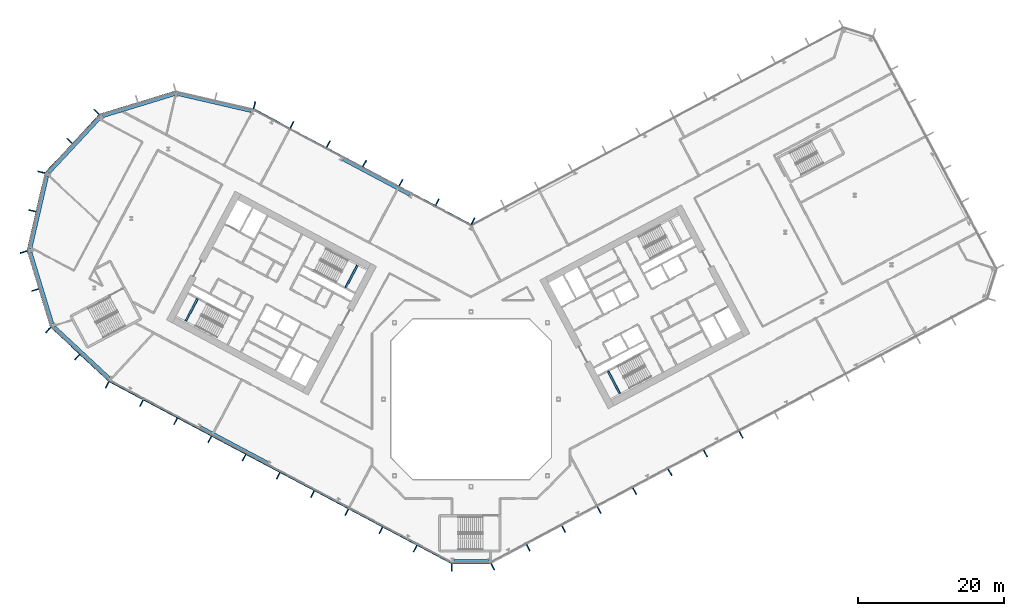
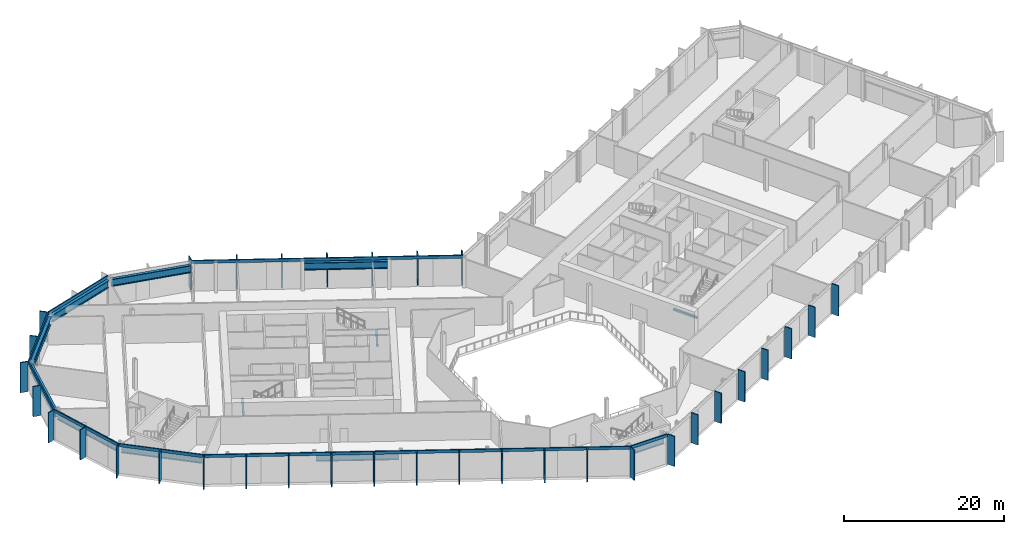
# One storey, part 7 of 32: 42 members, 12 beams, 10 elements without a shape of their own.
"""IFC4 building model written with IfcOpenShell, lengths in metres."""

import ifcopenshell
import ifcopenshell.guid

model = None  # the IFC model being written
_history = None  # IfcOwnerHistory: only IFC2X3 demands one
_inside = {}  # id of a spatial element -> (the spatial element, [elements in it])
_under = {}  # id of a project, library or spatial element -> (it, [spatial elements below it])
_declared = {}  # id of a project -> (the project, [libraries it declares])
_typed = {}  # id of a type object -> (the type object, [elements of that type])
_made_of = {}  # id of a material, layer set ... -> (it, [elements and type objects made of it])


def new_model(schema):
    """Start an empty IFC model of exactly this schema.

    Asked for "IFC4X3", IfcOpenShell would pick the latest addendum, in which some entities
    have other attributes; the version numbers below select the first issue.
    IFC2X3 requires an IfcOwnerHistory on every rooted entity: one is made here for all.
    """
    global model, _history
    if schema == "IFC4X3":
        model = ifcopenshell.file(schema_version=(4, 3, 0, 0))
    else:
        model = ifcopenshell.file(schema=schema)
    _inside.clear()
    _under.clear()
    _declared.clear()
    _typed.clear()
    _made_of.clear()
    _history = None
    if model.schema == "IFC2X3":
        org = make("IfcOrganization", Name="unknown")
        user = make(
            "IfcPersonAndOrganization",
            ThePerson=make("IfcPerson", FamilyName="unknown"),
            TheOrganization=org,
        )
        app = make(
            "IfcApplication",
            ApplicationDeveloper=org,
            Version="unknown",
            ApplicationFullName="unknown",
            ApplicationIdentifier="unknown",
        )
        _history = make(
            "IfcOwnerHistory",
            OwningUser=user,
            OwningApplication=app,
            ChangeAction="ADDED",
            CreationDate=0,
        )
    return model


def make(cls, **values):
    """One entity of the class cls with the attributes given. An attribute that is None is left unset."""
    return model.create_entity(
        cls, **{name: value for name, value in values.items() if value is not None}
    )


def rooted(cls, **values):
    """An entity with a GlobalId (a new one), such as an element, a storey or a relation."""
    return make(cls, GlobalId=ifcopenshell.guid.new(), OwnerHistory=_history, **values)


def si_unit(unit_type, name, prefix=None):
    """IfcSIUnit, for example si_unit("LENGTHUNIT", "METRE", prefix="MILLI")."""
    return make("IfcSIUnit", UnitType=unit_type, Prefix=prefix, Name=name)


def assignment(units):
    """IfcUnitAssignment: the units of a project."""
    return None if units is None else make("IfcUnitAssignment", Units=units)


def point(xyz):
    """IfcCartesianPoint."""
    return None if xyz is None else make("IfcCartesianPoint", Coordinates=xyz)


def direction(xyz):
    """IfcDirection."""
    return None if xyz is None else make("IfcDirection", DirectionRatios=xyz)


def frame(location, z_axis=None, x_axis=None):
    """IfcAxis2Placement3D, a coordinate frame: its origin and axes. An axis left out is left unset."""
    return make(
        "IfcAxis2Placement3D",
        Location=point(location),
        Axis=direction(z_axis),
        RefDirection=direction(x_axis),
    )


def frame_2d(location, x_axis=None):
    """IfcAxis2Placement2D, a coordinate frame in the plane: its origin and x axis."""
    return make(
        "IfcAxis2Placement2D", Location=point(location), RefDirection=direction(x_axis)
    )


def origin():
    """The frame at (0, 0, 0) with its axes left unset."""
    return frame((0.0, 0.0, 0.0))


def origin_2d():
    """The frame at (0, 0) in the plane with its x axis left unset."""
    return frame_2d((0.0, 0.0))


def place(relative_to, where):
    """IfcLocalPlacement: puts the frame where relative to a parent placement (None: the world)."""
    return make(
        "IfcLocalPlacement", PlacementRelTo=relative_to, RelativePlacement=where
    )


def context(
    kind, dimensions, precision=None, world=None, true_north=None, identifier=None
):
    """IfcGeometricRepresentationContext, for example the 3D "Model" context."""
    return make(
        "IfcGeometricRepresentationContext",
        ContextIdentifier=identifier,
        ContextType=kind,
        CoordinateSpaceDimension=dimensions,
        Precision=precision,
        WorldCoordinateSystem=world,
        TrueNorth=true_north,
    )


def subcontext(parent, identifier, kind, view, scale=None):
    """IfcGeometricRepresentationSubContext, for example "Body" below "Model"."""
    return make(
        "IfcGeometricRepresentationSubContext",
        ContextIdentifier=identifier,
        ContextType=kind,
        ParentContext=parent,
        TargetScale=scale,
        TargetView=view,
    )


def project(units=None, contexts=None):
    """IfcProject with its units and contexts."""
    return rooted(
        "IfcProject",
        Name="project",
        RepresentationContexts=contexts,
        UnitsInContext=assignment(units),
    )


def spatial(cls, under=None, at=None, **own):
    """A site, building, storey or space (cls), placed at a placement, below another one or the project."""
    s = rooted(cls, ObjectPlacement=at, **own)
    if under is not None:
        _under.setdefault(under.id(), (under, []))[1].append(s)
    return s


def profile(cls, at=None, kind="AREA", **sizes):
    """A parametric profile (cls). Its sizes go by their IFC names, for example OverallWidth=200.0."""
    return make(cls, ProfileType=kind, Position=at, **sizes)


def rectangle(**sizes):
    """IfcRectangleProfileDef."""
    return profile("IfcRectangleProfileDef", **sizes)


def i_section(**sizes):
    """IfcIShapeProfileDef."""
    return profile("IfcIShapeProfileDef", **sizes)


def extrude(swept, where, along, depth):
    """IfcExtrudedAreaSolid: the profile swept, set in the frame where, extruded along a direction by depth."""
    return make(
        "IfcExtrudedAreaSolid",
        SweptArea=swept,
        Position=where,
        ExtrudedDirection=direction(along),
        Depth=depth,
    )


def shape(context_of_items, identifier, shape_type, items):
    """IfcShapeRepresentation: the items that make up one representation, for example the "Body"."""
    return make(
        "IfcShapeRepresentation",
        ContextOfItems=context_of_items,
        RepresentationIdentifier=identifier,
        RepresentationType=shape_type,
        Items=items,
    )


def material(Name=None, Category=None):
    """IfcMaterial."""
    return make("IfcMaterial", Name=Name, Category=Category)


def layer(
    of_material, thickness, ventilated=None, Name=None, Category=None, Priority=None
):
    """IfcMaterialLayer: one layer of a wall or slab, of a material (None: an air gap)."""
    return make(
        "IfcMaterialLayer",
        Material=of_material,
        LayerThickness=thickness,
        IsVentilated=ventilated,
        Name=Name,
        Category=Category,
        Priority=Priority,
    )


def layer_set(layers, Name=None):
    """IfcMaterialLayerSet."""
    return make("IfcMaterialLayerSet", MaterialLayers=layers, LayerSetName=Name)


def material_profile(
    of_material, cross_section, Name=None, Category=None, Priority=None
):
    """IfcMaterialProfile: a cross section and its material."""
    return make(
        "IfcMaterialProfile",
        Name=Name,
        Material=of_material,
        Profile=cross_section,
        Priority=Priority,
        Category=Category,
    )


def profile_set(profiles, Name=None, composite=None):
    """IfcMaterialProfileSet."""
    return make(
        "IfcMaterialProfileSet",
        Name=Name,
        MaterialProfiles=profiles,
        CompositeProfile=composite,
    )


def made_of(thing, what):
    """Note that an element or type object is made of a material, layer set ...; save() writes the relation."""
    if what is not None:
        _made_of.setdefault(what.id(), (what, []))[1].append(thing)
    return thing


def type_object(cls, material=None, **own):
    """A type object (cls), such as IfcWallType, which elements share."""
    return made_of(rooted(cls, **own), material)


def element(
    cls,
    number,
    at=None,
    inside=None,
    cuts=None,
    type_object=None,
    material=None,
    context=None,
    identifier="Body",
    shape_type=None,
    held_by="IfcProductDefinitionShape",
    body=None,
    shapes=None,
    **own,
):
    """One element of the class cls, such as IfcWall. Its Tag is "e" and its number.

    at: its placement. inside: the storey or other place that contains it. cuts: it is an
    opening in that element (IfcRelVoidsElement). A single representation is given by context,
    identifier, shape_type and body (its items); several are given by shapes. held_by: the class
    of the entity that holds the representations. save() writes the other relations.
    """
    e = rooted(cls, Tag="e%d" % number, ObjectPlacement=at, **own)
    if body is not None:
        shapes = [shape(context, identifier, shape_type, body)]
    if shapes is not None:
        e.Representation = make(held_by, Representations=shapes)
    if inside is not None:
        _inside.setdefault(inside.id(), (inside, []))[1].append(e)
    if cuts is not None:
        rooted(
            "IfcRelVoidsElement", RelatingBuildingElement=cuts, RelatedOpeningElement=e
        )
    if type_object is not None:
        _typed.setdefault(type_object.id(), (type_object, []))[1].append(e)
    return made_of(e, material)


def aggregate(whole, parts):
    """IfcRelAggregates: a whole, such as a stair, and the parts it consists of."""
    return rooted("IfcRelAggregates", RelatingObject=whole, RelatedObjects=parts)


def save(model, path):
    """Write the relations noted so far, then the file.

    IfcRelAggregates (storeys below a building ...), IfcRelContainedInSpatialStructure (elements
    in a storey), IfcRelDefinesByType, IfcRelAssociatesMaterial and IfcRelDeclares: one each for
    every whole, place, type object, material and project.
    """
    for whole, parts in _under.values():
        aggregate(whole, parts)
    for where, things in _inside.values():
        rooted(
            "IfcRelContainedInSpatialStructure",
            RelatedElements=things,
            RelatingStructure=where,
        )
    for kind, things in _typed.values():
        rooted("IfcRelDefinesByType", RelatedObjects=things, RelatingType=kind)
    for what, things in _made_of.values():
        rooted("IfcRelAssociatesMaterial", RelatedObjects=things, RelatingMaterial=what)
    for by, libraries in _declared.values():
        rooted("IfcRelDeclares", RelatingContext=by, RelatedDefinitions=libraries)
    model.write(path)


model = new_model("IFC4")

# Units and contexts
model_context = context("Model", 3, precision=1e-05, world=origin(), true_north=direction((0.0, 1.0)))
body_context = subcontext(model_context, "Body", "Model", "MODEL_VIEW")
ifc_project = project(units=[si_unit("LENGTHUNIT", "METRE"), si_unit("AREAUNIT", "SQUARE_METRE"), si_unit("VOLUMEUNIT", "CUBIC_METRE"), si_unit("PLANEANGLEUNIT", "RADIAN"), si_unit("MASSUNIT", "GRAM", prefix="KILO")], contexts=[model_context])

# Site, building, storey
site_placement = place(None, origin())
site = spatial("IfcSite", under=ifc_project, at=site_placement, CompositionType="ELEMENT")
building_placement = place(site_placement, origin())
building = spatial("IfcBuilding", under=site, at=building_placement, Name="Cormorant Relay Tower", CompositionType="ELEMENT")
storey_placement = place(building_placement, frame((0.0, 0.0, 66.199951171875)))
storey = spatial("IfcBuildingStorey", under=building, at=storey_placement, Name="L12", CompositionType="ELEMENT", Elevation=66.199951171875)

# Curtain wall, member
ifc_material_1 = material(Name="Aluminium 6063-T6 anodised bronze", Category="aluminium")
ifc_layer = layer(ifc_material_1, 0.199951171875)
ifc_layer_set = layer_set([ifc_layer], Name="CW1 unitised bronze curtain wall with vertical fins")
curtain_wall_type = type_object("IfcCurtainWallType", Name="CW1 unitised bronze curtain wall with vertical fins", PredefinedType="NOTDEFINED", material=ifc_layer_set)
curtain_wall_1_placement = place(storey_placement, origin())
curtain_wall_1 = element("IfcCurtainWall", 1, at=curtain_wall_1_placement, inside=storey, type_object=curtain_wall_type, Name="CW1 curtain wall 1", PredefinedType="NOTDEFINED")
ifc_material_2 = material(Name="Aluminium 6063-T6 anodised bronze", Category="aluminium")
ifc_material_profile_1 = material_profile(ifc_material_2, rectangle(XDim=0.14990234375, YDim=1.0, at=origin_2d()), Name="AL 150x1000")
ifc_profile_set_1 = profile_set([ifc_material_profile_1], Name="Aluminium 6063-T6 anodised bronze")
member_type_1 = type_object("IfcMemberType", Name="CW1 bronze fin mullion 150 x 1000", PredefinedType="MULLION", material=ifc_profile_set_1)
member_1_placement = place(storey_placement, frame((-2.648681640625, -23.07568359375, 0.0), z_axis=(0.0, 0.0, 1.0), x_axis=(1.0, 0.0, 0.0)))
member_1 = element("IfcMember", 2, at=member_1_placement, type_object=member_type_1, Name="CW1 fin 1.1", PredefinedType="MULLION", context=body_context, shape_type="SweptSolid", body=[
    extrude(rectangle(XDim=0.14990234375, YDim=1.0, at=origin_2d()), origin(), (0.0, 0.0, 1.0), 4.60009765625),
])

# Curtain wall, members
curtain_wall_2_placement = place(storey_placement, origin())
curtain_wall_2 = element("IfcCurtainWall", 3, at=curtain_wall_2_placement, inside=storey, type_object=curtain_wall_type, Name="CW1 curtain wall 2", PredefinedType="NOTDEFINED")
member_2_placement = place(storey_placement, frame((2.9775390625, -22.99365234375, 0.0), z_axis=(0.0, 0.0, 1.0), x_axis=(0.882947592859, 0.469471562786, 0.0)))
member_2 = element("IfcMember", 4, at=member_2_placement, type_object=member_type_1, Name="CW1 fin 2.1", PredefinedType="MULLION", context=body_context, shape_type="SweptSolid", body=[
    extrude(rectangle(XDim=0.14990234375, YDim=1.0, at=origin_2d()), origin(), (0.0, 0.0, 1.0), 4.60009765625),
])
member_3_placement = place(storey_placement, frame((7.843994140625, -20.406005859375, 0.0), z_axis=(0.0, 0.0, 1.0), x_axis=(0.882947592859, 0.469471562786, 0.0)))
member_3 = element("IfcMember", 5, at=member_3_placement, type_object=member_type_1, Name="CW1 fin 2.2", PredefinedType="MULLION", context=body_context, shape_type="SweptSolid", body=[
    extrude(rectangle(XDim=0.14990234375, YDim=1.0, at=origin_2d()), origin(), (0.0, 0.0, 1.0), 4.60009765625),
])
member_4_placement = place(storey_placement, frame((12.710693359375, -17.818359375, 0.0), z_axis=(0.0, 0.0, 1.0), x_axis=(0.882947592859, 0.469471562786, 0.0)))
member_4 = element("IfcMember", 6, at=member_4_placement, type_object=member_type_1, Name="CW1 fin 2.3", PredefinedType="MULLION", context=body_context, shape_type="SweptSolid", body=[
    extrude(rectangle(XDim=0.14990234375, YDim=1.0, at=origin_2d()), origin(), (0.0, 0.0, 1.0), 4.60009765625),
])
member_5_placement = place(storey_placement, frame((17.577392578125, -15.230712890625, 0.0), z_axis=(0.0, 0.0, 1.0), x_axis=(0.882947592859, 0.469471562786, 0.0)))
member_5 = element("IfcMember", 7, at=member_5_placement, type_object=member_type_1, Name="CW1 fin 2.4", PredefinedType="MULLION", context=body_context, shape_type="SweptSolid", body=[
    extrude(rectangle(XDim=0.14990234375, YDim=1.0, at=origin_2d()), origin(), (0.0, 0.0, 1.0), 4.60009765625),
])
member_6_placement = place(storey_placement, frame((22.444091796875, -12.64306640625, 0.0), z_axis=(0.0, 0.0, 1.0), x_axis=(0.882947592859, 0.469471562786, 0.0)))
member_6 = element("IfcMember", 8, at=member_6_placement, type_object=member_type_1, Name="CW1 fin 2.5", PredefinedType="MULLION", context=body_context, shape_type="SweptSolid", body=[
    extrude(rectangle(XDim=0.14990234375, YDim=1.0, at=origin_2d()), origin(), (0.0, 0.0, 1.0), 4.60009765625),
])
member_7_placement = place(storey_placement, frame((27.310791015625, -10.055419921875, 0.0), z_axis=(0.0, 0.0, 1.0), x_axis=(0.882947592859, 0.469471562786, 0.0)))
member_7 = element("IfcMember", 9, at=member_7_placement, type_object=member_type_1, Name="CW1 fin 2.6", PredefinedType="MULLION", context=body_context, shape_type="SweptSolid", body=[
    extrude(rectangle(XDim=0.14990234375, YDim=1.0, at=origin_2d()), origin(), (0.0, 0.0, 1.0), 4.60009765625),
])
member_8_placement = place(storey_placement, frame((32.177490234375, -7.4677734375, 0.0), z_axis=(0.0, 0.0, 1.0), x_axis=(0.882947592859, 0.469471562786, 0.0)))
member_8 = element("IfcMember", 10, at=member_8_placement, type_object=member_type_1, Name="CW1 fin 2.7", PredefinedType="MULLION", context=body_context, shape_type="SweptSolid", body=[
    extrude(rectangle(XDim=0.14990234375, YDim=1.0, at=origin_2d()), origin(), (0.0, 0.0, 1.0), 4.60009765625),
])
member_9_placement = place(storey_placement, frame((37.044189453125, -4.8798828125, 0.0), z_axis=(0.0, 0.0, 1.0), x_axis=(0.882947592859, 0.469471562786, 0.0)))
member_9 = element("IfcMember", 11, at=member_9_placement, type_object=member_type_1, Name="CW1 fin 2.8", PredefinedType="MULLION", context=body_context, shape_type="SweptSolid", body=[
    extrude(rectangle(XDim=0.14990234375, YDim=1.0, at=origin_2d()), origin(), (0.0, 0.0, 1.0), 4.60009765625),
])
aggregate(curtain_wall_2, [member_2, member_3, member_4, member_5, member_6, member_7, member_8, member_9])

curtain_wall_3_placement = place(storey_placement, origin())
curtain_wall_3 = element("IfcCurtainWall", 12, at=curtain_wall_3_placement, inside=storey, type_object=curtain_wall_type, Name="CW1 curtain wall 7", PredefinedType="NOTDEFINED")
member_10_placement = place(storey_placement, frame((0.262451171875, 24.437255859375, 0.0), z_axis=(0.0, 0.0, 1.0), x_axis=(-0.882947592859, 0.469471562786, 0.0)))
member_10 = element("IfcMember", 13, at=member_10_placement, type_object=member_type_1, Name="CW1 fin 7.1", PredefinedType="MULLION", context=body_context, shape_type="SweptSolid", body=[
    extrude(rectangle(XDim=0.14990234375, YDim=1.0, at=origin_2d()), origin(), (0.0, 0.0, 1.0), 4.60009765625),
])
member_11_placement = place(storey_placement, frame((-4.650390625, 27.04931640625, 0.0), z_axis=(0.0, 0.0, 1.0), x_axis=(-0.882947592859, 0.469471562786, 0.0)))
member_11 = element("IfcMember", 14, at=member_11_placement, type_object=member_type_1, Name="CW1 fin 7.2", PredefinedType="MULLION", context=body_context, shape_type="SweptSolid", body=[
    extrude(rectangle(XDim=0.14990234375, YDim=1.0, at=origin_2d()), origin(), (0.0, 0.0, 1.0), 4.60009765625),
])
member_12_placement = place(storey_placement, frame((-9.62939453125, 29.69677734375, 0.0), z_axis=(0.0, 0.0, 1.0), x_axis=(-0.882947592859, 0.469471562786, 0.0)))
member_12 = element("IfcMember", 15, at=member_12_placement, type_object=member_type_1, Name="CW1 fin 7.3", PredefinedType="MULLION", context=body_context, shape_type="SweptSolid", body=[
    extrude(rectangle(XDim=0.14990234375, YDim=1.0, at=origin_2d()), origin(), (0.0, 0.0, 1.0), 4.60009765625),
])
member_13_placement = place(storey_placement, frame((-14.608154296875, 32.343994140625, 0.0), z_axis=(0.0, 0.0, 1.0), x_axis=(-0.882947592859, 0.469471562786, 0.0)))
member_13 = element("IfcMember", 16, at=member_13_placement, type_object=member_type_1, Name="CW1 fin 7.4", PredefinedType="MULLION", context=body_context, shape_type="SweptSolid", body=[
    extrude(rectangle(XDim=0.14990234375, YDim=1.0, at=origin_2d()), origin(), (0.0, 0.0, 1.0), 4.60009765625),
])
member_14_placement = place(storey_placement, frame((-19.587158203125, 34.991455078125, 0.0), z_axis=(0.0, 0.0, 1.0), x_axis=(-0.882947592859, 0.469471562786, 0.0)))
member_14 = element("IfcMember", 17, at=member_14_placement, type_object=member_type_1, Name="CW1 fin 7.5", PredefinedType="MULLION", context=body_context, shape_type="SweptSolid", body=[
    extrude(rectangle(XDim=0.14990234375, YDim=1.0, at=origin_2d()), origin(), (0.0, 0.0, 1.0), 4.60009765625),
])
member_15_placement = place(storey_placement, frame((-24.566162109375, 37.638916015625, 0.0), z_axis=(0.0, 0.0, 1.0), x_axis=(-0.882947592859, 0.469471562786, 0.0)))
member_15 = element("IfcMember", 18, at=member_15_placement, type_object=member_type_1, Name="CW1 fin 7.6", PredefinedType="MULLION", context=body_context, shape_type="SweptSolid", body=[
    extrude(rectangle(XDim=0.14990234375, YDim=1.0, at=origin_2d()), origin(), (0.0, 0.0, 1.0), 4.60009765625),
])

# Curtain wall, member
curtain_wall_4_placement = place(storey_placement, origin())
curtain_wall_4 = element("IfcCurtainWall", 19, at=curtain_wall_4_placement, inside=storey, type_object=curtain_wall_type, Name="CW1 curtain wall 8", PredefinedType="NOTDEFINED")
member_16_placement = place(storey_placement, frame((-29.71630859375, 40.35009765625, 0.0), z_axis=(0.0, 0.0, 1.0), x_axis=(-0.974370064785, 0.224951054344, 0.0)))
member_16 = element("IfcMember", 20, at=member_16_placement, type_object=member_type_1, Name="CW1 fin 8.1", PredefinedType="MULLION", context=body_context, shape_type="SweptSolid", body=[
    extrude(rectangle(XDim=0.14990234375, YDim=1.0, at=origin_2d()), origin(), (0.0, 0.0, 1.0), 4.60009765625),
])
aggregate(curtain_wall_4, [member_16])

# Curtain wall, members
curtain_wall_5_placement = place(storey_placement, origin())
curtain_wall_5 = element("IfcCurtainWall", 21, at=curtain_wall_5_placement, inside=storey, type_object=curtain_wall_type, Name="CW1 curtain wall 10", PredefinedType="NOTDEFINED")
member_17_placement = place(storey_placement, frame((-51.372802734375, 39.41259765625, 0.0), z_axis=(0.0, 0.0, 1.0), x_axis=(-0.681998360062, -0.731353701619, 0.0)))
member_17 = element("IfcMember", 22, at=member_17_placement, type_object=member_type_1, Name="CW1 fin 10.1", PredefinedType="MULLION", context=body_context, shape_type="SweptSolid", body=[
    extrude(rectangle(XDim=0.14990234375, YDim=1.0, at=origin_2d()), origin(), (0.0, 0.0, 1.0), 4.60009765625),
])
member_18_placement = place(storey_placement, frame((-55.07958984375, 35.4375, 0.0), z_axis=(0.0, 0.0, 1.0), x_axis=(-0.681998360062, -0.731353701619, 0.0)))
member_18 = element("IfcMember", 23, at=member_18_placement, type_object=member_type_1, Name="CW1 fin 10.2", PredefinedType="MULLION", context=body_context, shape_type="SweptSolid", body=[
    extrude(rectangle(XDim=0.14990234375, YDim=1.0, at=origin_2d()), origin(), (0.0, 0.0, 1.0), 4.60009765625),
])

curtain_wall_6_placement = place(storey_placement, origin())
curtain_wall_6 = element("IfcCurtainWall", 24, at=curtain_wall_6_placement, inside=storey, type_object=curtain_wall_type, Name="CW1 curtain wall 11", PredefinedType="NOTDEFINED")
member_19_placement = place(storey_placement, frame((-58.95654296875, 31.142578125, 0.0), z_axis=(0.0, 0.0, 1.0), x_axis=(-0.224951054344, -0.974370064785, 0.0)))
member_19 = element("IfcMember", 25, at=member_19_placement, type_object=member_type_1, Name="CW1 fin 11.1", PredefinedType="MULLION", context=body_context, shape_type="SweptSolid", body=[
    extrude(rectangle(XDim=0.14990234375, YDim=1.0, at=origin_2d()), origin(), (0.0, 0.0, 1.0), 4.60009765625),
])
member_20_placement = place(storey_placement, frame((-60.17919921875, 25.8466796875, 0.0), z_axis=(0.0, 0.0, 1.0), x_axis=(-0.224951054344, -0.974370064785, 0.0)))
member_20 = element("IfcMember", 26, at=member_20_placement, type_object=member_type_1, Name="CW1 fin 11.2", PredefinedType="MULLION", context=body_context, shape_type="SweptSolid", body=[
    extrude(rectangle(XDim=0.14990234375, YDim=1.0, at=origin_2d()), origin(), (0.0, 0.0, 1.0), 4.60009765625),
])

curtain_wall_7_placement = place(storey_placement, origin())
curtain_wall_7 = element("IfcCurtainWall", 27, at=curtain_wall_7_placement, inside=storey, type_object=curtain_wall_type, Name="CW1 curtain wall 12", PredefinedType="NOTDEFINED")
member_21_placement = place(storey_placement, frame((-61.389404296875, 20.188720703125, 0.0), z_axis=(0.0, 0.0, 1.0), x_axis=(0.292371704723, -0.956304755963, 0.0)))
member_21 = element("IfcMember", 28, at=member_21_placement, type_object=member_type_1, Name="CW1 fin 12.1", PredefinedType="MULLION", context=body_context, shape_type="SweptSolid", body=[
    extrude(rectangle(XDim=0.14990234375, YDim=1.0, at=origin_2d()), origin(), (0.0, 0.0, 1.0), 4.60009765625),
])
member_22_placement = place(storey_placement, frame((-59.80029296875, 14.990966796875, 0.0), z_axis=(0.0, 0.0, 1.0), x_axis=(0.292371704723, -0.956304755963, 0.0)))
member_22 = element("IfcMember", 29, at=member_22_placement, type_object=member_type_1, Name="CW1 fin 12.2", PredefinedType="MULLION", context=body_context, shape_type="SweptSolid", body=[
    extrude(rectangle(XDim=0.14990234375, YDim=1.0, at=origin_2d()), origin(), (0.0, 0.0, 1.0), 4.60009765625),
])

curtain_wall_8_placement = place(storey_placement, origin())
curtain_wall_8 = element("IfcCurtainWall", 30, at=curtain_wall_8_placement, inside=storey, type_object=curtain_wall_type, Name="CW1 curtain wall 13", PredefinedType="NOTDEFINED")
member_23_placement = place(storey_placement, frame((-58.01904296875, 9.486083984375, 0.0), z_axis=(0.0, 0.0, 1.0), x_axis=(0.731353701619, -0.681998360062, 0.0)))
member_23 = element("IfcMember", 31, at=member_23_placement, type_object=member_type_1, Name="CW1 fin 13.1", PredefinedType="MULLION", context=body_context, shape_type="SweptSolid", body=[
    extrude(rectangle(XDim=0.14990234375, YDim=1.0, at=origin_2d()), origin(), (0.0, 0.0, 1.0), 4.60009765625),
])
member_24_placement = place(storey_placement, frame((-54.0439453125, 5.779296875, 0.0), z_axis=(0.0, 0.0, 1.0), x_axis=(0.731353701619, -0.681998360062, 0.0)))
member_24 = element("IfcMember", 32, at=member_24_placement, type_object=member_type_1, Name="CW1 fin 13.2", PredefinedType="MULLION", context=body_context, shape_type="SweptSolid", body=[
    extrude(rectangle(XDim=0.14990234375, YDim=1.0, at=origin_2d()), origin(), (0.0, 0.0, 1.0), 4.60009765625),
])

curtain_wall_9_placement = place(storey_placement, origin())
curtain_wall_9 = element("IfcCurtainWall", 33, at=curtain_wall_9_placement, inside=storey, type_object=curtain_wall_type, Name="CW1 curtain wall 14", PredefinedType="NOTDEFINED")
member_25_placement = place(storey_placement, frame((-49.920166015625, 1.96630859375, 0.0), z_axis=(0.0, 0.0, 1.0), x_axis=(0.882947592859, -0.469471562786, 0.0)))
member_25 = element("IfcMember", 34, at=member_25_placement, type_object=member_type_1, Name="CW1 fin 14.1", PredefinedType="MULLION", context=body_context, shape_type="SweptSolid", body=[
    extrude(rectangle(XDim=0.14990234375, YDim=1.0, at=origin_2d()), origin(), (0.0, 0.0, 1.0), 4.60009765625),
])
member_26_placement = place(storey_placement, frame((-45.225830078125, -0.52978515625, 0.0), z_axis=(0.0, 0.0, 1.0), x_axis=(0.882947592859, -0.469471562786, 0.0)))
member_26 = element("IfcMember", 35, at=member_26_placement, type_object=member_type_1, Name="CW1 fin 14.2", PredefinedType="MULLION", context=body_context, shape_type="SweptSolid", body=[
    extrude(rectangle(XDim=0.14990234375, YDim=1.0, at=origin_2d()), origin(), (0.0, 0.0, 1.0), 4.60009765625),
])
member_27_placement = place(storey_placement, frame((-40.531494140625, -3.025634765625, 0.0), z_axis=(0.0, 0.0, 1.0), x_axis=(0.882947592859, -0.469471562786, 0.0)))
member_27 = element("IfcMember", 36, at=member_27_placement, type_object=member_type_1, Name="CW1 fin 14.3", PredefinedType="MULLION", context=body_context, shape_type="SweptSolid", body=[
    extrude(rectangle(XDim=0.14990234375, YDim=1.0, at=origin_2d()), origin(), (0.0, 0.0, 1.0), 4.60009765625),
])
member_28_placement = place(storey_placement, frame((-35.83740234375, -5.521728515625, 0.0), z_axis=(0.0, 0.0, 1.0), x_axis=(0.882947592859, -0.469471562786, 0.0)))
member_28 = element("IfcMember", 37, at=member_28_placement, type_object=member_type_1, Name="CW1 fin 14.4", PredefinedType="MULLION", context=body_context, shape_type="SweptSolid", body=[
    extrude(rectangle(XDim=0.14990234375, YDim=1.0, at=origin_2d()), origin(), (0.0, 0.0, 1.0), 4.60009765625),
])
member_29_placement = place(storey_placement, frame((-31.14306640625, -8.017578125, 0.0), z_axis=(0.0, 0.0, 1.0), x_axis=(0.882947592859, -0.469471562786, 0.0)))
member_29 = element("IfcMember", 38, at=member_29_placement, type_object=member_type_1, Name="CW1 fin 14.5", PredefinedType="MULLION", context=body_context, shape_type="SweptSolid", body=[
    extrude(rectangle(XDim=0.14990234375, YDim=1.0, at=origin_2d()), origin(), (0.0, 0.0, 1.0), 4.60009765625),
])
member_30_placement = place(storey_placement, frame((-26.44873046875, -10.513671875, 0.0), z_axis=(0.0, 0.0, 1.0), x_axis=(0.882947592859, -0.469471562786, 0.0)))
member_30 = element("IfcMember", 39, at=member_30_placement, type_object=member_type_1, Name="CW1 fin 14.6", PredefinedType="MULLION", context=body_context, shape_type="SweptSolid", body=[
    extrude(rectangle(XDim=0.14990234375, YDim=1.0, at=origin_2d()), origin(), (0.0, 0.0, 1.0), 4.60009765625),
])
member_31_placement = place(storey_placement, frame((-21.754638671875, -13.009765625, 0.0), z_axis=(0.0, 0.0, 1.0), x_axis=(0.882947592859, -0.469471562786, 0.0)))
member_31 = element("IfcMember", 40, at=member_31_placement, type_object=member_type_1, Name="CW1 fin 14.7", PredefinedType="MULLION", context=body_context, shape_type="SweptSolid", body=[
    extrude(rectangle(XDim=0.14990234375, YDim=1.0, at=origin_2d()), origin(), (0.0, 0.0, 1.0), 4.60009765625),
])
member_32_placement = place(storey_placement, frame((-17.060302734375, -15.505615234375, 0.0), z_axis=(0.0, 0.0, 1.0), x_axis=(0.882947592859, -0.469471562786, 0.0)))
member_32 = element("IfcMember", 41, at=member_32_placement, type_object=member_type_1, Name="CW1 fin 14.8", PredefinedType="MULLION", context=body_context, shape_type="SweptSolid", body=[
    extrude(rectangle(XDim=0.14990234375, YDim=1.0, at=origin_2d()), origin(), (0.0, 0.0, 1.0), 4.60009765625),
])
member_33_placement = place(storey_placement, frame((-12.365966796875, -18.001708984375, 0.0), z_axis=(0.0, 0.0, 1.0), x_axis=(0.882947592859, -0.469471562786, 0.0)))
member_33 = element("IfcMember", 42, at=member_33_placement, type_object=member_type_1, Name="CW1 fin 14.9", PredefinedType="MULLION", context=body_context, shape_type="SweptSolid", body=[
    extrude(rectangle(XDim=0.14990234375, YDim=1.0, at=origin_2d()), origin(), (0.0, 0.0, 1.0), 4.60009765625),
])
member_34_placement = place(storey_placement, frame((-7.671630859375, -20.49755859375, 0.0), z_axis=(0.0, 0.0, 1.0), x_axis=(0.882947592859, -0.469471562786, 0.0)))
member_34 = element("IfcMember", 43, at=member_34_placement, type_object=member_type_1, Name="CW1 fin 14.10", PredefinedType="MULLION", context=body_context, shape_type="SweptSolid", body=[
    extrude(rectangle(XDim=0.14990234375, YDim=1.0, at=origin_2d()), origin(), (0.0, 0.0, 1.0), 4.60009765625),
])

# Member
ifc_material_3 = material(Name="Aluminium 6063-T6 anodised bronze", Category="aluminium")
ifc_material_profile_2 = material_profile(ifc_material_3, rectangle(XDim=0.159912109375, YDim=0.449951171875, at=origin_2d()), Name="AL 160x450")
ifc_profile_set_2 = profile_set([ifc_material_profile_2], Name="Aluminium 6063-T6 anodised bronze")
member_type_2 = type_object("IfcMemberType", Name="CW1 bronze transom 160 x 450", PredefinedType="USERDEFINED", material=ifc_profile_set_2)
member_35_placement = place(storey_placement, frame((-2.648681640625, -22.49560546875, 4.375), z_axis=(1.0, 0.0, 0.0), x_axis=(0.0, 1.0, 0.0)))
member_35 = element("IfcMember", 44, at=member_35_placement, type_object=member_type_2, Name="CW1 transom 1", ObjectType="TRANSOM", PredefinedType="USERDEFINED", context=body_context, shape_type="SweptSolid", body=[
    extrude(rectangle(XDim=0.159912109375, YDim=0.449951171875, at=origin_2d()), origin(), (0.0, 0.0, 1.0), 5.29736328125),
])

aggregate(curtain_wall_1, [member_1, member_35])

member_36_placement = place(storey_placement, frame((0.056396484375, 23.889892578125, 4.375), z_axis=(-0.882946280328, 0.46947403129, 0.0), x_axis=(-0.46947403129, -0.882946280328, 0.0)))
member_36 = element("IfcMember", 45, at=member_36_placement, type_object=member_type_2, Name="CW1 transom 7", ObjectType="TRANSOM", PredefinedType="USERDEFINED", context=body_context, shape_type="SweptSolid", body=[
    extrude(rectangle(XDim=0.159912109375, YDim=0.449951171875, at=origin_2d()), origin(), (0.0, 0.0, 1.0), 33.834228515625),
])

aggregate(curtain_wall_3, [member_10, member_11, member_12, member_13, member_14, member_15, member_36])

# Curtain wall, member
curtain_wall_10_placement = place(storey_placement, origin())
curtain_wall_10 = element("IfcCurtainWall", 46, at=curtain_wall_10_placement, inside=storey, type_object=curtain_wall_type, Name="CW1 curtain wall 9", PredefinedType="NOTDEFINED")
member_37_placement = place(storey_placement, frame((-40.50048828125, 42.228271484375, 4.375), z_axis=(-0.956304833932, -0.292371449698, 0.0), x_axis=(0.292371449698, -0.956304833932, 0.0)))
member_37 = element("IfcMember", 47, at=member_37_placement, type_object=member_type_2, Name="CW1 transom 9", ObjectType="TRANSOM", PredefinedType="USERDEFINED", context=body_context, shape_type="SweptSolid", body=[
    extrude(rectangle(XDim=0.159912109375, YDim=0.449951171875, at=origin_2d()), origin(), (0.0, 0.0, 1.0), 10.87060546875),
])
aggregate(curtain_wall_10, [member_37])

# Member
member_38_placement = place(storey_placement, frame((-50.94873046875, 39.01708984375, 4.375), z_axis=(-0.681993299437, -0.731358420696, 0.0), x_axis=(0.731358420696, -0.681993299437, 0.0)))
member_38 = element("IfcMember", 48, at=member_38_placement, type_object=member_type_2, Name="CW1 transom 10", ObjectType="TRANSOM", PredefinedType="USERDEFINED", context=body_context, shape_type="SweptSolid", body=[
    extrude(rectangle(XDim=0.159912109375, YDim=0.449951171875, at=origin_2d()), origin(), (0.0, 0.0, 1.0), 10.870361328125),
])

aggregate(curtain_wall_5, [member_17, member_18, member_38])

member_39_placement = place(storey_placement, frame((-58.3916015625, 31.01220703125, 4.375), z_axis=(-0.22495136131, -0.974369993916, 0.0), x_axis=(0.974369993916, -0.22495136131, 0.0)))
member_39 = element("IfcMember", 49, at=member_39_placement, type_object=member_type_2, Name="CW1 transom 11", ObjectType="TRANSOM", PredefinedType="USERDEFINED", context=body_context, shape_type="SweptSolid", body=[
    extrude(rectangle(XDim=0.159912109375, YDim=0.449951171875, at=origin_2d()), origin(), (0.0, 0.0, 1.0), 10.870361328125),
])

aggregate(curtain_wall_6, [member_19, member_20, member_39])

member_40_placement = place(storey_placement, frame((-60.834716796875, 20.358154296875, 4.375), z_axis=(0.292377729282, -0.95630291405, 0.0), x_axis=(0.95630291405, 0.292377729282, 0.0)))
member_40 = element("IfcMember", 50, at=member_40_placement, type_object=member_type_2, Name="CW1 transom 12", ObjectType="TRANSOM", PredefinedType="USERDEFINED", context=body_context, shape_type="SweptSolid", body=[
    extrude(rectangle(XDim=0.159912109375, YDim=0.449951171875, at=origin_2d()), origin(), (0.0, 0.0, 1.0), 10.870361328125),
])

aggregate(curtain_wall_7, [member_21, member_22, member_40])

member_41_placement = place(storey_placement, frame((-57.62353515625, 9.91015625, 4.375), z_axis=(0.731358420696, -0.681993299437, 0.0), x_axis=(0.681993299437, 0.731358420696, 0.0)))
member_41 = element("IfcMember", 51, at=member_41_placement, type_object=member_type_2, Name="CW1 transom 13", ObjectType="TRANSOM", PredefinedType="USERDEFINED", context=body_context, shape_type="SweptSolid", body=[
    extrude(rectangle(XDim=0.159912109375, YDim=0.449951171875, at=origin_2d()), origin(), (0.0, 0.0, 1.0), 10.870361328125),
])

aggregate(curtain_wall_8, [member_23, member_24, member_41])

member_42_placement = place(storey_placement, frame((-49.64794921875, 2.478515625, 4.375), z_axis=(0.882947642542, -0.469471469346, 0.0), x_axis=(0.469471469346, 0.882947642542, 0.0)))
member_42 = element("IfcMember", 52, at=member_42_placement, type_object=member_type_2, Name="CW1 transom 14", ObjectType="TRANSOM", PredefinedType="USERDEFINED", context=body_context, shape_type="SweptSolid", body=[
    extrude(rectangle(XDim=0.159912109375, YDim=0.449951171875, at=origin_2d()), origin(), (0.0, 0.0, 1.0), 53.166015625),
])

aggregate(curtain_wall_9, [member_25, member_26, member_27, member_28, member_29, member_30, member_31, member_32, member_33, member_34, member_42])

# Beams
ifc_material_4 = material(Name="Steel ASTM A992 (Fy 345 MPa)", Category="steel")
ifc_material_profile_3 = material_profile(ifc_material_4, i_section(OverallWidth=0.40380859375, OverallDepth=1.11767578125, WebThickness=0.026123046875, FlangeThickness=0.044921875, FilletRadius=0.02001953125, at=origin_2d()), Name="W1100x499")
ifc_profile_set_3 = profile_set([ifc_material_profile_3], Name="Steel ASTM A992 (Fy 345 MPa)")
beam_type_1 = type_object("IfcBeamType", Name="Spandrel W1100x499", PredefinedType="SPANDREL", material=ifc_profile_set_3)
beam_1_placement = place(storey_placement, frame((-2.3486328125, -22.173583984375, 3.641357421875), z_axis=(1.0, 0.0, 0.0), x_axis=(0.0, 1.0, 0.0)))
element("IfcBeam", 53, at=beam_1_placement, inside=storey, type_object=beam_type_1, Name="Spandrel beam L12-001", PredefinedType="SPANDREL", context=body_context, shape_type="SweptSolid", body=[
    extrude(i_section(OverallWidth=0.40380859375, OverallDepth=1.11767578125, WebThickness=0.026123046875, FlangeThickness=0.044921875, FilletRadius=0.02001953125, at=origin_2d()), origin(), (0.0, 0.0, 1.0), 4.736083984375),
])
beam_2_placement = place(storey_placement, frame((-8.435302734375, 28.040283203125, 3.641357421875), z_axis=(-0.882946891921, 0.469472881056, 0.0), x_axis=(-0.469472881056, -0.882946891921, 0.0)))
element("IfcBeam", 54, at=beam_2_placement, inside=storey, type_object=beam_type_1, Name="Spandrel beam L12-007", PredefinedType="SPANDREL", context=body_context, shape_type="SweptSolid", body=[
    extrude(i_section(OverallWidth=0.40380859375, OverallDepth=1.11767578125, WebThickness=0.026123046875, FlangeThickness=0.044921875, FilletRadius=0.02001953125, at=origin_2d()), origin(), (0.0, 0.0, 1.0), 10.376220703125),
])
beam_3_placement = place(storey_placement, frame((-30.171142578125, 39.529541015625, 3.641357421875), z_axis=(-0.974368523335, 0.224957730996, 0.0), x_axis=(-0.224957730996, -0.974368523335, 0.0)))
element("IfcBeam", 55, at=beam_3_placement, inside=storey, type_object=beam_type_1, Name="Spandrel beam L12-008", PredefinedType="SPANDREL", context=body_context, shape_type="SweptSolid", body=[
    extrude(i_section(OverallWidth=0.40380859375, OverallDepth=1.11767578125, WebThickness=0.026123046875, FlangeThickness=0.044921875, FilletRadius=0.02001953125, at=origin_2d()), origin(), (0.0, 0.0, 1.0), 10.346923828125),
])
beam_4_placement = place(storey_placement, frame((-40.70166015625, 41.830078125, 3.641357421875), z_axis=(-0.956304442866, -0.292372728814, 0.0), x_axis=(0.292372728814, -0.956304442866, 0.0)))
element("IfcBeam", 56, at=beam_4_placement, inside=storey, type_object=beam_type_1, Name="Spandrel beam L12-009", PredefinedType="SPANDREL", context=body_context, shape_type="SweptSolid", body=[
    extrude(i_section(OverallWidth=0.40380859375, OverallDepth=1.11767578125, WebThickness=0.026123046875, FlangeThickness=0.044921875, FilletRadius=0.02001953125, at=origin_2d()), origin(), (0.0, 0.0, 1.0), 10.297607421875),
])
for number, where, z_axis, x_axis, name in (
    (57, (-50.924072265625, 38.571533203125, 3.641357421875), (-0.681993790146, -0.731357963108, 0.0), (0.731357963108, -0.681993790146, 0.0), "Spandrel beam L12-010"),
    (58, (-58.147216796875, 30.638671875, 3.641357421875), (-0.224939161738, -0.974372810333, 0.0), (0.974372810333, -0.224939161738, 0.0), "Spandrel beam L12-011"),
):
    element("IfcBeam", number, at=place(storey_placement, frame(where, z_axis=z_axis, x_axis=x_axis)), inside=storey, type_object=beam_type_1, Name=name, PredefinedType="SPANDREL", context=body_context, shape_type="SweptSolid", body=[
        extrude(i_section(OverallWidth=0.40380859375, OverallDepth=1.11767578125, WebThickness=0.026123046875, FlangeThickness=0.044921875, FilletRadius=0.02001953125, at=origin_2d()), origin(), (0.0, 0.0, 1.0), 10.296875),
    ])
beam_5_placement = place(storey_placement, frame((-60.4365234375, 20.1572265625, 3.641357421875), z_axis=(0.292372728814, -0.956304442866, 0.0), x_axis=(0.956304442866, 0.292372728814, 0.0)))
element("IfcBeam", 59, at=beam_5_placement, inside=storey, type_object=beam_type_1, Name="Spandrel beam L12-012", PredefinedType="SPANDREL", context=body_context, shape_type="SweptSolid", body=[
    extrude(i_section(OverallWidth=0.40380859375, OverallDepth=1.11767578125, WebThickness=0.026123046875, FlangeThickness=0.044921875, FilletRadius=0.02001953125, at=origin_2d()), origin(), (0.0, 0.0, 1.0), 10.297607421875),
])
beam_6_placement = place(storey_placement, frame((-57.177734375, 9.934814453125, 3.641357421875), z_axis=(0.731345431457, -0.682007228617, 0.0), x_axis=(0.682007228617, 0.731345431457, 0.0)))
element("IfcBeam", 60, at=beam_6_placement, inside=storey, type_object=beam_type_1, Name="Spandrel beam L12-013", PredefinedType="SPANDREL", context=body_context, shape_type="SweptSolid", body=[
    extrude(i_section(OverallWidth=0.40380859375, OverallDepth=1.11767578125, WebThickness=0.026123046875, FlangeThickness=0.044921875, FilletRadius=0.02001953125, at=origin_2d()), origin(), (0.0, 0.0, 1.0), 10.322265625),
])
beam_7_placement = place(storey_placement, frame((-37.124755859375, -3.815673828125, 3.641357421875), z_axis=(0.882946891921, -0.469472881056, 0.0), x_axis=(0.469472881056, 0.882946891921, 0.0)))
element("IfcBeam", 61, at=beam_7_placement, inside=storey, type_object=beam_type_1, Name="Spandrel beam L12-014", PredefinedType="SPANDREL", context=body_context, shape_type="SweptSolid", body=[
    extrude(i_section(OverallWidth=0.40380859375, OverallDepth=1.11767578125, WebThickness=0.026123046875, FlangeThickness=0.044921875, FilletRadius=0.02001953125, at=origin_2d()), origin(), (0.0, 0.0, 1.0), 10.376220703125),
])
ifc_material_5 = material(Name="Concrete 50 MPa", Category="concrete")
ifc_material_profile_4 = material_profile(ifc_material_5, rectangle(XDim=0.25, YDim=0.300048828125, at=origin_2d()), Name="RC 250x300")
ifc_profile_set_4 = profile_set([ifc_material_profile_4], Name="Concrete 50 MPa")
beam_type_2 = type_object("IfcBeamType", Name="Stair landing ledge beam 250x300", PredefinedType="BEAM", material=ifc_profile_set_4)
beam_8_placement = place(storey_placement, frame((-17.215087890625, 15.325927734375, 1.949951171875), z_axis=(0.469519084434, 0.88292232351, 0.0), x_axis=(-0.88292232351, 0.469519084434, 0.0)))
element("IfcBeam", 62, at=beam_8_placement, inside=storey, type_object=beam_type_2, Name="A1 landing ledge beam", PredefinedType="BEAM", context=body_context, shape_type="SweptSolid", body=[
    extrude(rectangle(XDim=0.25, YDim=0.300048828125, at=origin_2d()), origin(), (0.0, 0.0, 1.0), 3.449951171875),
])
for number, where, z_axis, x_axis, name in (
    (63, (-37.52783203125, 13.781494140625, 1.949951171875), (-0.469434585424, -0.882967253078, 0.0), (0.882967253078, -0.469434585424, 0.0), "A2 landing ledge beam"),
    (64, (18.80029296875, 3.823974609375, 1.949951171875), (0.469489750874, -0.88293792184, 0.0), (0.88293792184, 0.469489750874, 0.0), "B1 landing ledge beam"),
):
    element("IfcBeam", number, at=place(storey_placement, frame(where, z_axis=z_axis, x_axis=x_axis)), inside=storey, type_object=beam_type_2, Name=name, PredefinedType="BEAM", context=body_context, shape_type="SweptSolid", body=[
        extrude(rectangle(XDim=0.25, YDim=0.300048828125, at=origin_2d()), origin(), (0.0, 0.0, 1.0), 3.4501953125),
    ])

save(model, "model.ifc")
